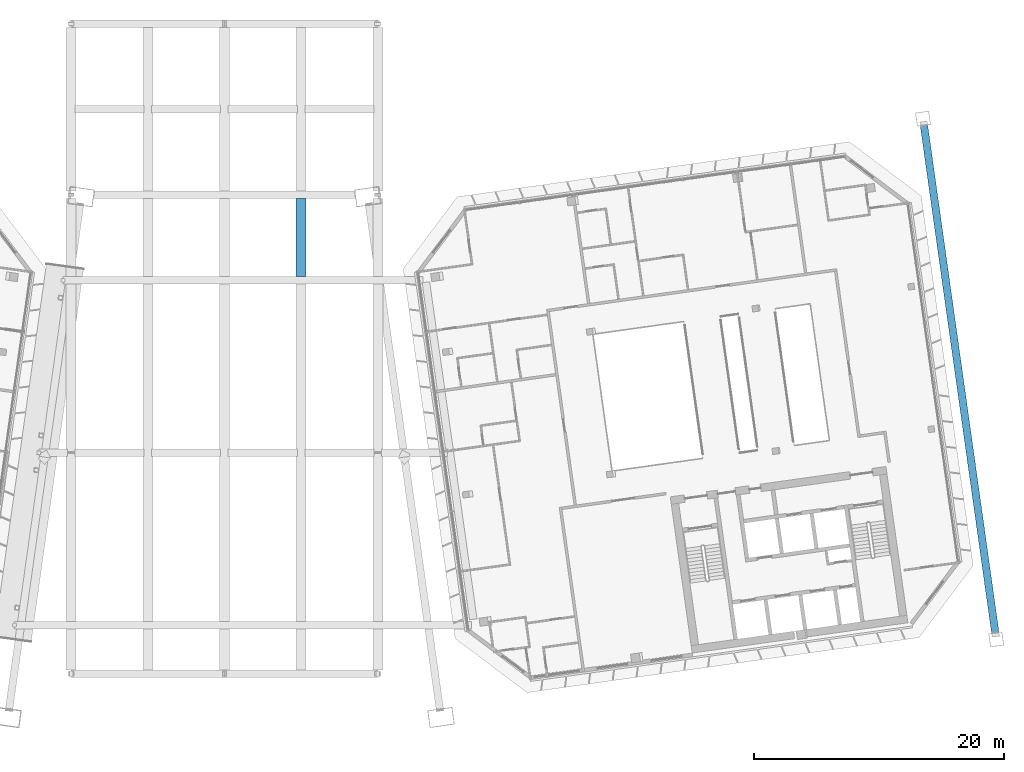
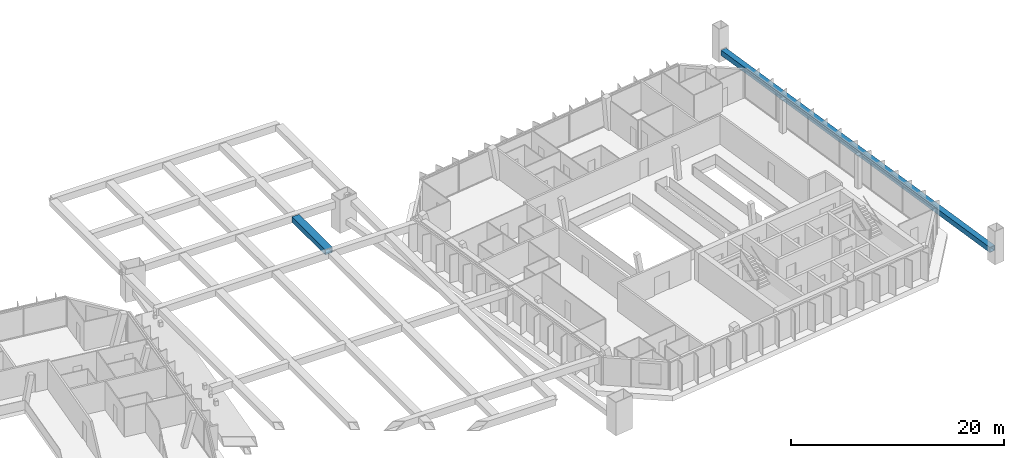
# One storey, part 16 of 36: 2 members.
"""IFC4 building model written with IfcOpenShell, lengths in metres."""

from ifc_helpers import new_model, si_unit, direction, frame, origin, origin_2d, place, context, subcontext, project, spatial, hollow_rectangle, extrude, material, material_profile, profile_set, type_object, element, save


model = new_model("IFC4")

# Units and contexts
model_context = context("Model", 3, precision=1e-05, world=origin(), true_north=direction((0.0, 1.0)))
body_context = subcontext(model_context, "Body", "Model", "MODEL_VIEW")
ifc_project = project(units=[si_unit("LENGTHUNIT", "METRE"), si_unit("AREAUNIT", "SQUARE_METRE"), si_unit("VOLUMEUNIT", "CUBIC_METRE"), si_unit("PLANEANGLEUNIT", "RADIAN"), si_unit("MASSUNIT", "GRAM", prefix="KILO")], contexts=[model_context])

# Site, building, storey
site_placement = place(None, origin())
site = spatial("IfcSite", under=ifc_project, at=site_placement, CompositionType="ELEMENT")
building_placement = place(site_placement, origin())
building = spatial("IfcBuilding", under=site, at=building_placement, Name="Mirante Cascada Hotel Towers", CompositionType="ELEMENT")
storey_placement = place(building_placement, frame((0.0, 0.0, 254.6)))
storey = spatial("IfcBuildingStorey", under=building, at=storey_placement, Name="L61", CompositionType="ELEMENT", Elevation=254.6)

# Members
ifc_material_1 = material(Name="Steel ASTM A572 Gr 50", Category="steel")
ifc_material_profile_1 = material_profile(ifc_material_1, hollow_rectangle(XDim=0.6, YDim=0.6, WallThickness=0.04, at=origin_2d()), Name="Box chord 600x600x40 ASTM A572 Gr 50")
ifc_profile_set_1 = profile_set([ifc_material_profile_1], Name="Steel ASTM A572 Gr 50")
member_type_1 = type_object("IfcMemberType", Name="Box chord 600x600x40 ASTM A572 Gr 50", PredefinedType="CHORD", material=ifc_profile_set_1)
member_1_placement = place(storey_placement, frame((61.5666, -18.2348, 1.0), z_axis=(-0.1391719, 0.9902682, 0.0), x_axis=(-0.9902682, -0.1391719, 0.0)))
element("IfcMember", 1, at=member_1_placement, inside=storey, type_object=member_type_1, Name="exochord T2 L61 2", PredefinedType="CHORD", context=body_context, shape_type="SweptSolid", body=[
    extrude(hollow_rectangle(XDim=0.6, YDim=0.6, WallThickness=0.04, at=origin_2d()), origin(), (0.0, 0.0, 1.0), 40.94),
])
ifc_material_2 = material(Name="Steel ASTM A572 Gr 50", Category="steel")
ifc_material_profile_2 = material_profile(ifc_material_2, hollow_rectangle(XDim=0.6, YDim=0.8, WallThickness=0.04, at=origin_2d()), Name="Box chord 800x600x40 ASTM A572 Gr 50")
ifc_profile_set_2 = profile_set([ifc_material_profile_2], Name="Steel ASTM A572 Gr 50")
member_type_2 = type_object("IfcMemberType", Name="Box chord 800x600x40 ASTM A572 Gr 50", PredefinedType="CHORD", material=ifc_profile_set_2)
member_2_placement = place(storey_placement, frame((6.1257, 10.2142, 2.9), z_axis=(0.0, 1.0, 0.0), x_axis=(0.0, 0.0, 1.0)))
element("IfcMember", 2, at=member_2_placement, inside=storey, type_object=member_type_2, Name="dchord sky park L62 15", PredefinedType="CHORD", context=body_context, shape_type="SweptSolid", body=[
    extrude(hollow_rectangle(XDim=0.6, YDim=0.8, WallThickness=0.04, at=origin_2d()), origin(), (0.0, 0.0, 1.0), 6.2333),
])

save(model, "model.ifc")
